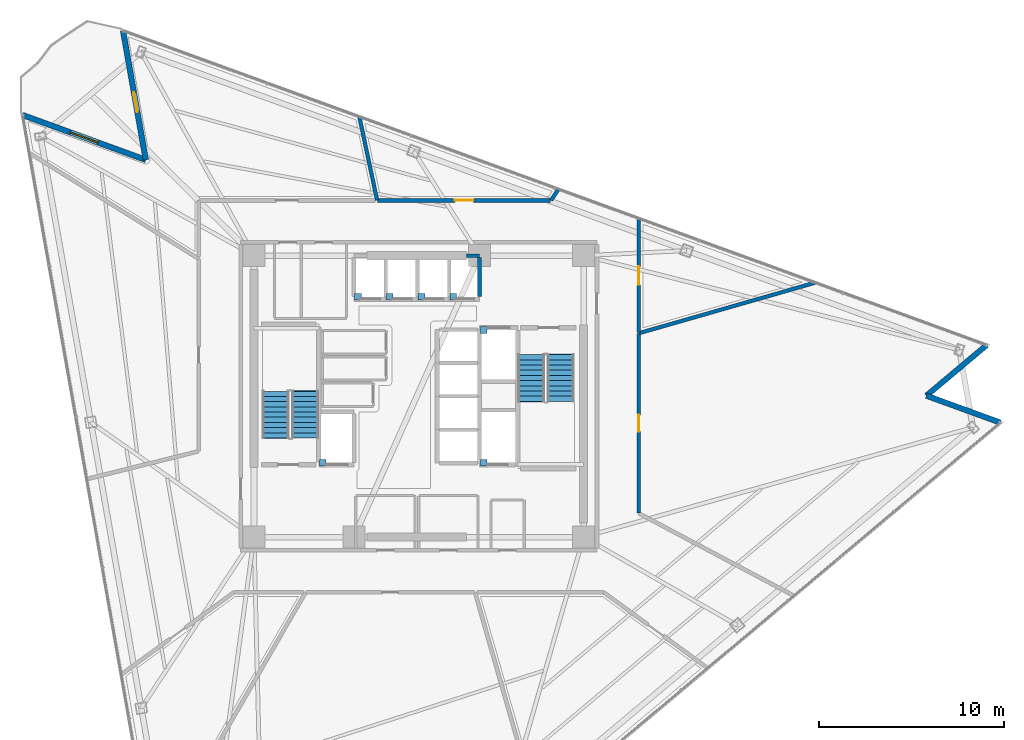
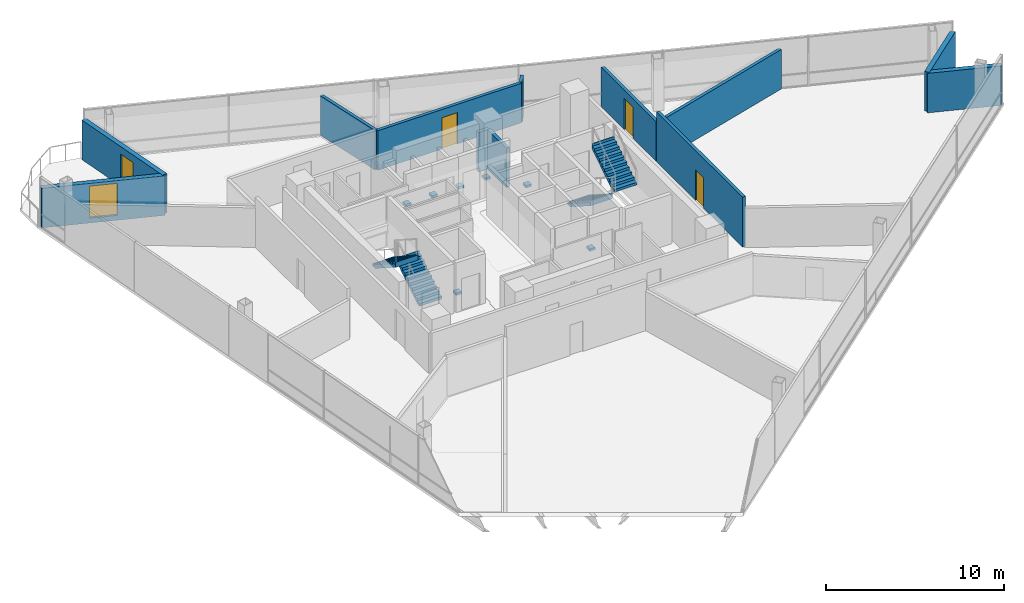
# One storey, part 12 of 15: 12 walls, 7 discrete accessories, 4 doors, 4 stair flights, 1 window, 5 openings, 2 elements without a shape of their own.
"""IFC4 building model written with IfcOpenShell, lengths in metres."""

from ifc_helpers import new_model, si_unit, direction, frame, frame_2d, origin, origin_2d, place, context, subcontext, project, spatial, polyline, rectangle, outline, extrude, material, layer, layer_set, type_object, element, fill, aggregate, save


model = new_model("IFC4")

# Units and contexts
model_context = context("Model", 3, precision=1e-05, world=origin(), true_north=direction((0.0, 1.0)))
body_context = subcontext(model_context, "Body", "Model", "MODEL_VIEW")
ifc_project = project(units=[si_unit("LENGTHUNIT", "METRE"), si_unit("AREAUNIT", "SQUARE_METRE"), si_unit("VOLUMEUNIT", "CUBIC_METRE"), si_unit("PLANEANGLEUNIT", "RADIAN"), si_unit("MASSUNIT", "GRAM", prefix="KILO")], contexts=[model_context])

# Site, building, storey
site_placement = place(None, origin())
site = spatial("IfcSite", under=ifc_project, at=site_placement, CompositionType="ELEMENT")
building_placement = place(site_placement, origin())
building = spatial("IfcBuilding", under=site, at=building_placement, Name="Tharavind Bronze Gate", CompositionType="ELEMENT")
storey_placement = place(building_placement, frame((0.0, 0.0, 174.10009765625)))
storey = spatial("IfcBuildingStorey", under=building, at=storey_placement, Name="L44", CompositionType="ELEMENT", Elevation=174.10009765625)

# Wall, opening, door
ifc_material_1 = material(Name="Concrete C40/50", Category="concrete")
ifc_layer_1 = layer(ifc_material_1, 0.300048828125)
ifc_layer_set_1 = layer_set([ifc_layer_1], Name="Concrete C40/50")
wall_type_1 = type_object("IfcWallType", Name="EXTERIOR SPANDREL WALL 300", PredefinedType="STANDARD", material=ifc_layer_set_1)
wall_1_placement = place(storey_placement, frame((-15.97314453125, 19.743408203125, 0.0), z_axis=(0.0, 0.0, 1.0), x_axis=(0.173651569749, -0.984807154891, 0.0)))
wall_1 = element("IfcWall", 1, at=wall_1_placement, inside=storey, type_object=wall_type_1, Name="L44 notch cheek wall 1A", PredefinedType="STANDARD", context=body_context, shape_type="SweptSolid", body=[
    extrude(rectangle(XDim=7.080322265625, YDim=0.300048828125, at=frame_2d((3.5400390625, 0.0))), origin(), (0.0, 0.0, 1.0), 2.71484375),
])
opening_1_placement = place(wall_1_placement, frame((3.3720703125, 0.0, 0.0)))
opening_1 = element("IfcOpeningElement", 2, at=opening_1_placement, cuts=wall_1, Name="Opening ED04", PredefinedType="OPENING", context=body_context, shape_type="SweptSolid", body=[
    extrude(rectangle(XDim=1.10009765625, YDim=2.199951171875, at=frame_2d((0.550048828125, 1.10009765625))), frame((0.0, 0.15990234375, 0.0), z_axis=(0.0, -1.0, 0.0), x_axis=(1.0, 0.0, 0.0)), (0.0, 0.0, 1.0), 0.320048828125),
])
ifc_material_2 = material(Name="Bronze Aluminium & Toughened Glass", Category="aluminium")
door_type_1 = type_object("IfcDoorType", Name="TREE BALCONY ACCESS DOOR 1100X2200", OperationType="SINGLE_SWING_LEFT", PredefinedType="DOOR", material=ifc_material_2)
door_1_placement = place(opening_1_placement, origin())
door_1 = element("IfcDoor", 3, at=door_1_placement, inside=storey, type_object=door_type_1, Name="L44 tree balcony access door", OperationType="SINGLE_SWING_LEFT", OverallHeight=2.199951171875, OverallWidth=1.10009765625, PredefinedType="DOOR", context=body_context, shape_type="SweptSolid", body=[
    extrude(rectangle(XDim=1.10009765625, YDim=2.199951171875, at=frame_2d((0.550048828125, 1.10009765625))), frame((0.0, 0.02490234375, 0.0), z_axis=(0.0, -1.0, 0.0), x_axis=(1.0, 0.0, 0.0)), (0.0, 0.0, 1.0), 0.050048828125),
])
fill(opening_1, door_1)

# Wall, opening, window
wall_2_placement = place(storey_placement, frame((-14.74365234375, 12.770751953125, 0.0), z_axis=(0.0, 0.0, 1.0), x_axis=(-0.939687665182, 0.342033758429, 0.0)))
wall_2 = element("IfcWall", 4, at=wall_2_placement, inside=storey, type_object=wall_type_1, Name="L44 notch cheek wall 1B", PredefinedType="STANDARD", context=body_context, shape_type="SweptSolid", body=[
    extrude(rectangle(XDim=7.080078125, YDim=0.300048828125, at=frame_2d((3.5400390625, 0.0))), origin(), (0.0, 0.0, 1.0), 2.71484375),
])
opening_2_placement = place(wall_2_placement, frame((2.739990234375, 0.0, 0.3349609375)))
opening_2 = element("IfcOpeningElement", 5, at=opening_2_placement, cuts=wall_2, Name="Opening W05", PredefinedType="OPENING", context=body_context, shape_type="SweptSolid", body=[
    extrude(rectangle(XDim=1.60009765625, YDim=2.199951171875, at=frame_2d((0.800048828125, 1.10009765625))), frame((0.0, 0.15990234375, 0.0), z_axis=(0.0, -1.0, 0.0), x_axis=(1.0, 0.0, 0.0)), (0.0, 0.0, 1.0), 0.320048828125),
])
ifc_material_3 = material(Name="Bronze Aluminium & Low-E Glass", Category="aluminium")
window_type = type_object("IfcWindowType", Name="OFFICE NOTCH BRONZE WINDOW 1600X2200", PartitioningType="DOUBLE_PANEL_VERTICAL", PredefinedType="WINDOW", material=ifc_material_3)
window_placement = place(opening_2_placement, origin())
window = element("IfcWindow", 6, at=window_placement, inside=storey, type_object=window_type, Name="L44 exterior window WL-L44-NCB1-01", OverallHeight=2.199951171875, OverallWidth=1.60009765625, PartitioningType="SINGLE_PANEL", PredefinedType="WINDOW", context=body_context, shape_type="SweptSolid", body=[
    extrude(rectangle(XDim=1.60009765625, YDim=2.199951171875, at=frame_2d((0.800048828125, 1.10009765625))), frame((0.0, 0.030029296875, 0.0), z_axis=(0.0, -1.0, 0.0), x_axis=(1.0, 0.0, 0.0)), (0.0, 0.0, 1.0), 0.06005859375),
])
fill(opening_2, window)

# Walls
for number, where, z_axis, x_axis, name in (
    (7, (31.410888671875, -1.418212890625, 0.0), (0.0, 0.0, 1.0), (-0.939672547019, 0.342075290511, 0.0), "L44 notch cheek wall 3A"),
    (8, (27.419189453125, 0.034912109375, 0.0), (0.0, 0.0, 1.0), (0.766054602204, 0.642775502367, 0.0), "L44 notch cheek wall 3B"),
):
    element("IfcWall", number, at=place(storey_placement, frame(where, z_axis=z_axis, x_axis=x_axis)), inside=storey, type_object=wall_type_1, Name=name, PredefinedType="STANDARD", context=body_context, shape_type="SweptSolid", body=[
        extrude(rectangle(XDim=4.248046875, YDim=0.300048828125, at=frame_2d((2.1240234375, 0.0))), origin(), (0.0, 0.0, 1.0), 2.71484375),
    ])
ifc_material_4 = material(Name="Aerated Concrete Block", Category="concrete")
ifc_layer_2 = layer(ifc_material_4, 0.199951171875)
ifc_layer_set_2 = layer_set([ifc_layer_2], Name="Aerated Concrete Block")
wall_type_2 = type_object("IfcWallType", Name="FIRE RATED PARTITION 200", PredefinedType="PARTITIONING", material=ifc_layer_set_2)
wall_3_placement = place(storey_placement, frame((21.406494140625, 6.13818359375, 0.0), z_axis=(0.0, 0.0, 1.0), x_axis=(-0.961265154156, -0.275625295294, 0.0)))
element("IfcWall", 9, at=wall_3_placement, inside=storey, type_object=wall_type_2, Name="L44 Clean Energy Open Office partition", PredefinedType="PARTITIONING", context=body_context, shape_type="SweptSolid", body=[
    extrude(rectangle(XDim=9.877197265625, YDim=0.199951171875, at=frame_2d((4.9384765625, 0.0))), origin(), (0.0, 0.0, 1.0), 2.71484375),
])

# Wall, opening, door
wall_4_placement = place(storey_placement, frame((11.8798828125, 3.439697265625, 0.0), z_axis=(0.0, 0.0, 1.0), x_axis=(0.0, 1.0, 0.0)))
wall_4 = element("IfcWall", 10, at=wall_4_placement, inside=storey, type_object=wall_type_2, Name="L44 Clean Energy Open Office partition", PredefinedType="PARTITIONING", context=body_context, shape_type="SweptSolid", body=[
    extrude(rectangle(XDim=6.166015625, YDim=0.199951171875, at=frame_2d((3.0830078125, 0.0))), origin(), (0.0, 0.0, 1.0), 2.71484375),
])
opening_3_placement = place(wall_4_placement, frame((2.5830078125, 0.0, 0.0)))
opening_3 = element("IfcOpeningElement", 11, at=opening_3_placement, cuts=wall_4, Name="Opening ID04", PredefinedType="OPENING", context=body_context, shape_type="SweptSolid", body=[
    extrude(rectangle(XDim=1.0, YDim=2.14990234375, at=frame_2d((0.5, 1.074951171875))), frame((0.0, 0.11009765625, 0.0), z_axis=(0.0, -1.0, 0.0), x_axis=(1.0, 0.0, 0.0)), (0.0, 0.0, 1.0), 0.219951171875),
])
ifc_material_5 = material(Name="Bronze Framed Acoustic Timber", Category="wood")
door_type_2 = type_object("IfcDoorType", Name="OFFICE TENANCY DOOR 1000X2150", OperationType="SINGLE_SWING_RIGHT", PredefinedType="DOOR", material=ifc_material_5)
door_2_placement = place(opening_3_placement, origin())
door_2 = element("IfcDoor", 12, at=door_2_placement, inside=storey, type_object=door_type_2, Name="L44 Clean Energy Open Office door", OperationType="SINGLE_SWING_RIGHT", OverallHeight=2.14990234375, OverallWidth=1.0, PredefinedType="DOOR", context=body_context, shape_type="SweptSolid", body=[
    extrude(rectangle(XDim=1.0, YDim=2.14990234375, at=frame_2d((0.5, 1.074951171875))), frame((0.0, 0.02490234375, 0.0), z_axis=(0.0, -1.0, 0.0), x_axis=(1.0, 0.0, 0.0)), (0.0, 0.0, 1.0), 0.050048828125),
])
fill(opening_3, door_2)

# Wall
wall_5_placement = place(storey_placement, frame((7.543701171875, 11.183837890625, 0.0), z_axis=(0.0, 0.0, 1.0), x_axis=(-0.559261733949, -0.828991141654, 0.0)))
element("IfcWall", 13, at=wall_5_placement, inside=storey, type_object=wall_type_2, Name="L44 Grid Simulation Lab partition", PredefinedType="PARTITIONING", context=body_context, shape_type="SweptSolid", body=[
    extrude(rectangle(XDim=0.715087890625, YDim=0.199951171875, at=frame_2d((0.357421875, 0.0))), origin(), (0.0, 0.0, 1.0), 2.71484375),
])

# Wall, opening, door
wall_6_placement = place(storey_placement, frame((7.123046875, 10.580078125, 0.0), z_axis=(0.0, 0.0, 1.0), x_axis=(-1.0, 0.0, 0.0)))
wall_6 = element("IfcWall", 14, at=wall_6_placement, inside=storey, type_object=wall_type_2, Name="L44 Grid Simulation Lab partition", PredefinedType="PARTITIONING", context=body_context, shape_type="SweptSolid", body=[
    extrude(rectangle(XDim=9.3515625, YDim=0.199951171875, at=frame_2d((4.67578125, 0.0))), origin(), (0.0, 0.0, 1.0), 2.71484375),
])
opening_4_placement = place(wall_6_placement, frame((4.176025390625, 0.0, 0.0)))
opening_4 = element("IfcOpeningElement", 15, at=opening_4_placement, cuts=wall_6, Name="Opening ID04", PredefinedType="OPENING", context=body_context, shape_type="SweptSolid", body=[
    extrude(rectangle(XDim=1.0, YDim=2.14990234375, at=frame_2d((0.5, 1.074951171875))), frame((0.0, 0.11009765625, 0.0), z_axis=(0.0, -1.0, 0.0), x_axis=(1.0, 0.0, 0.0)), (0.0, 0.0, 1.0), 0.219951171875),
])
door_3_placement = place(opening_4_placement, origin())
door_3 = element("IfcDoor", 16, at=door_3_placement, inside=storey, type_object=door_type_2, Name="L44 Grid Simulation Lab door", OperationType="SINGLE_SWING_RIGHT", OverallHeight=2.14990234375, OverallWidth=1.0, PredefinedType="DOOR", context=body_context, shape_type="SweptSolid", body=[
    extrude(rectangle(XDim=1.0, YDim=2.14990234375, at=frame_2d((0.5, 1.074951171875))), frame((0.0, 0.02490234375, 0.0), z_axis=(0.0, -1.0, 0.0), x_axis=(1.0, 0.0, 0.0)), (0.0, 0.0, 1.0), 0.050048828125),
])
fill(opening_4, door_3)

# Wall
wall_7_placement = place(storey_placement, frame((-2.253173828125, 10.599853515625, 0.0), z_axis=(0.0, 0.0, 1.0), x_axis=(-0.207864470863, 0.978157636454, 0.0)))
element("IfcWall", 17, at=wall_7_placement, inside=storey, type_object=wall_type_2, Name="L44 Grid Simulation Lab partition", PredefinedType="PARTITIONING", context=body_context, shape_type="SweptSolid", body=[
    extrude(rectangle(XDim=4.59814453125, YDim=0.199951171875, at=frame_2d((2.299072265625, 0.0))), origin(), (0.0, 0.0, 1.0), 2.71484375),
])

# Wall, opening, door
wall_8_placement = place(storey_placement, frame((11.8798828125, -6.3017578125, 0.0), z_axis=(0.0, 0.0, 1.0), x_axis=(0.0, 1.0, 0.0)))
wall_8 = element("IfcWall", 18, at=wall_8_placement, inside=storey, type_object=wall_type_2, Name="L44 Tea Pantry partition", PredefinedType="PARTITIONING", context=body_context, shape_type="SweptSolid", body=[
    extrude(rectangle(XDim=9.689453125, YDim=0.199951171875, at=frame_2d((4.8447265625, 0.0))), origin(), (0.0, 0.0, 1.0), 3.419921875),
])
opening_5_placement = place(wall_8_placement, frame((4.39501953125, 0.0, 0.0)))
opening_5 = element("IfcOpeningElement", 19, at=opening_5_placement, cuts=wall_8, Name="Opening ID07", PredefinedType="OPENING", context=body_context, shape_type="SweptSolid", body=[
    extrude(rectangle(XDim=0.89990234375, YDim=2.10009765625, at=frame_2d((0.449951171875, 1.050048828125))), frame((0.0, 0.11009765625, 0.0), z_axis=(0.0, -1.0, 0.0), x_axis=(1.0, 0.0, 0.0)), (0.0, 0.0, 1.0), 0.219951171875),
])
ifc_material_6 = material(Name="Galvanised Fire Steel", Category="steel")
door_type_3 = type_object("IfcDoorType", Name="PLANT AND RISER FIRE DOOR 900X2100", OperationType="SINGLE_SWING_LEFT", PredefinedType="DOOR", material=ifc_material_6)
door_4_placement = place(opening_5_placement, origin())
door_4 = element("IfcDoor", 20, at=door_4_placement, inside=storey, type_object=door_type_3, Name="L44 Tea Pantry door", OperationType="SINGLE_SWING_LEFT", OverallHeight=2.10009765625, OverallWidth=0.89990234375, PredefinedType="DOOR", context=body_context, shape_type="SweptSolid", body=[
    extrude(rectangle(XDim=0.89990234375, YDim=2.10009765625, at=frame_2d((0.449951171875, 1.050048828125))), frame((0.0, 0.02490234375, 0.0), z_axis=(0.0, -1.0, 0.0), x_axis=(1.0, 0.0, 0.0)), (0.0, 0.0, 1.0), 0.050048828125),
])
fill(opening_5, door_4)

# Walls
ifc_layer_3 = layer(ifc_material_1, 0.199951171875)
ifc_layer_set_3 = layer_set([ifc_layer_3], Name="Concrete C40/50")
wall_type_3 = type_object("IfcWallType", Name="SHAFT ENCLOSURE WALL 200", PredefinedType="PARTITIONING", material=ifc_layer_set_3)
wall_9_placement = place(storey_placement, frame((2.580078125, 7.60009765625, 0.0), z_axis=(0.0, 0.0, 1.0), x_axis=(1.0, 0.0, 0.0)))
element("IfcWall", 21, at=wall_9_placement, inside=storey, type_object=wall_type_3, Name="L44 lift PL8 shaft N enclosure wall", PredefinedType="PARTITIONING", context=body_context, shape_type="SweptSolid", body=[
    extrude(rectangle(XDim=0.699951171875, YDim=0.199951171875, at=frame_2d((0.35009765625, 0.0))), origin(), (0.0, 0.0, 1.0), 2.71484375),
])
wall_10_placement = place(storey_placement, frame((3.280029296875, 5.3798828125, 0.0), z_axis=(0.0, 0.0, 1.0), x_axis=(0.0, 1.0, 0.0)))
element("IfcWall", 22, at=wall_10_placement, inside=storey, type_object=wall_type_3, Name="L44 lift PL8 shaft E enclosure wall", PredefinedType="PARTITIONING", context=body_context, shape_type="SweptSolid", body=[
    extrude(rectangle(XDim=2.115234375, YDim=0.199951171875, at=frame_2d((1.0576171875, 0.0))), origin(), (0.0, 0.0, 1.0), 2.71484375),
])

# Stair, stair flights
stair_type = type_object("IfcStairType", Name="CORE HALF TURN STAIR 1450", PredefinedType="HALF_TURN_STAIR", material=ifc_material_1)
stair_1_placement = place(storey_placement, origin())
stair_1 = element("IfcStair", 23, at=stair_1_placement, inside=storey, type_object=stair_type, Name="L44 Protected Exit Stair ST1", PredefinedType="HALF_TURN_STAIR")
stair_flight_type = type_object("IfcStairFlightType", Name="CORE STAIR FLIGHT 1450", PredefinedType="STRAIGHT", material=ifc_material_1)
stair_flight_1_placement = place(storey_placement, frame((-6.125, -2.25, 0.0), z_axis=(0.0, 0.0, 1.0), x_axis=(0.0, 1.0, 0.0)))
stair_flight_1 = element("IfcStairFlight", 24, at=stair_flight_1_placement, type_object=stair_flight_type, Name="ST1 flight 1", NumberOfRisers=10, NumberOfTreads=9, PredefinedType="STRAIGHT", RiserHeight=0.18, TreadLength=0.28, context=body_context, shape_type="SweptSolid", body=[
    extrude(outline(polyline([(0.0, 0.0), (0.0, 0.179931640625), (0.280029296875, 0.179931640625), (0.280029296875, 0.360107421875), (0.56005859375, 0.360107421875), (0.56005859375, 0.5400390625), (0.840087890625, 0.5400390625), (0.840087890625, 0.719970703125), (1.1201171875, 0.719970703125), (1.1201171875, 0.89990234375), (1.39990234375, 0.89990234375), (1.39990234375, 1.080078125), (1.679931640625, 1.080078125), (1.679931640625, 1.260009765625), (1.9599609375, 1.260009765625), (1.9599609375, 1.43994140625), (2.239990234375, 1.43994140625), (2.239990234375, 1.6201171875), (2.52001953125, 1.6201171875), (2.52001953125, 1.800048828125), (2.555908203125, 1.800048828125), (2.555908203125, 1.44189453125), (0.277099609375, 0.0), (0.0, 0.0)])), frame((0.0, 0.72509765625, 0.0), z_axis=(0.0, -1.0, 0.0), x_axis=(1.0, 0.0, 0.0)), (0.0, 0.0, 1.0), 1.449951171875),
])
stair_flight_2_placement = place(storey_placement, frame((-7.72509765625, 0.27001953125, 1.7998046875), z_axis=(0.0, 0.0, 1.0), x_axis=(0.0, -1.0, 0.0)))
stair_flight_2 = element("IfcStairFlight", 25, at=stair_flight_2_placement, type_object=stair_flight_type, Name="ST1 flight 2", NumberOfRisers=10, NumberOfTreads=9, PredefinedType="STRAIGHT", RiserHeight=0.18, TreadLength=0.28, context=body_context, shape_type="SweptSolid", body=[
    extrude(outline(polyline([(0.0, 0.0), (0.0, 0.179931640625), (0.280029296875, 0.179931640625), (0.280029296875, 0.360107421875), (0.56005859375, 0.360107421875), (0.56005859375, 0.5400390625), (0.840087890625, 0.5400390625), (0.840087890625, 0.719970703125), (1.1201171875, 0.719970703125), (1.1201171875, 0.89990234375), (1.39990234375, 0.89990234375), (1.39990234375, 1.080078125), (1.679931640625, 1.080078125), (1.679931640625, 1.260009765625), (1.9599609375, 1.260009765625), (1.9599609375, 1.43994140625), (2.239990234375, 1.43994140625), (2.239990234375, 1.6201171875), (2.52001953125, 1.6201171875), (2.52001953125, 1.800048828125), (2.555908203125, 1.800048828125), (2.555908203125, 1.44189453125), (0.277099609375, 0.0), (0.0, 0.0)])), frame((0.0, 0.72509765625, 0.0), z_axis=(0.0, -1.0, 0.0), x_axis=(1.0, 0.0, 0.0)), (0.0, 0.0, 1.0), 1.449951171875),
])
aggregate(stair_1, [stair_flight_1, stair_flight_2])

stair_2_placement = place(storey_placement, origin())
stair_2 = element("IfcStair", 26, at=stair_2_placement, inside=storey, type_object=stair_type, Name="L44 Protected Exit Stair ST2", PredefinedType="HALF_TURN_STAIR")
stair_flight_3_placement = place(storey_placement, frame((6.074951171875, 2.25, 0.0), z_axis=(0.0, 0.0, 1.0), x_axis=(0.0, -1.0, 0.0)))
stair_flight_3 = element("IfcStairFlight", 27, at=stair_flight_3_placement, type_object=stair_flight_type, Name="ST2 flight 1", NumberOfRisers=10, NumberOfTreads=9, PredefinedType="STRAIGHT", RiserHeight=0.18, TreadLength=0.28, context=body_context, shape_type="SweptSolid", body=[
    extrude(outline(polyline([(0.0, 0.0), (0.0, 0.179931640625), (0.280029296875, 0.179931640625), (0.280029296875, 0.360107421875), (0.56005859375, 0.360107421875), (0.56005859375, 0.5400390625), (0.840087890625, 0.5400390625), (0.840087890625, 0.719970703125), (1.1201171875, 0.719970703125), (1.1201171875, 0.89990234375), (1.39990234375, 0.89990234375), (1.39990234375, 1.080078125), (1.679931640625, 1.080078125), (1.679931640625, 1.260009765625), (1.9599609375, 1.260009765625), (1.9599609375, 1.43994140625), (2.239990234375, 1.43994140625), (2.239990234375, 1.6201171875), (2.52001953125, 1.6201171875), (2.52001953125, 1.800048828125), (2.555908203125, 1.800048828125), (2.555908203125, 1.44189453125), (0.277099609375, 0.0), (0.0, 0.0)])), frame((0.0, 0.72509765625, 0.0), z_axis=(0.0, -1.0, 0.0), x_axis=(1.0, 0.0, 0.0)), (0.0, 0.0, 1.0), 1.449951171875),
])
stair_flight_4_placement = place(storey_placement, frame((7.675048828125, -0.27001953125, 1.7998046875), z_axis=(0.0, 0.0, 1.0), x_axis=(0.0, 1.0, 0.0)))
stair_flight_4 = element("IfcStairFlight", 28, at=stair_flight_4_placement, type_object=stair_flight_type, Name="ST2 flight 2", NumberOfRisers=10, NumberOfTreads=9, PredefinedType="STRAIGHT", RiserHeight=0.18, TreadLength=0.28, context=body_context, shape_type="SweptSolid", body=[
    extrude(outline(polyline([(0.0, 0.0), (0.0, 0.179931640625), (0.280029296875, 0.179931640625), (0.280029296875, 0.360107421875), (0.56005859375, 0.360107421875), (0.56005859375, 0.5400390625), (0.840087890625, 0.5400390625), (0.840087890625, 0.719970703125), (1.1201171875, 0.719970703125), (1.1201171875, 0.89990234375), (1.39990234375, 0.89990234375), (1.39990234375, 1.080078125), (1.679931640625, 1.080078125), (1.679931640625, 1.260009765625), (1.9599609375, 1.260009765625), (1.9599609375, 1.43994140625), (2.239990234375, 1.43994140625), (2.239990234375, 1.6201171875), (2.52001953125, 1.6201171875), (2.52001953125, 1.800048828125), (2.555908203125, 1.800048828125), (2.555908203125, 1.44189453125), (0.277099609375, 0.0), (0.0, 0.0)])), frame((0.0, 0.72509765625, 0.0), z_axis=(0.0, -1.0, 0.0), x_axis=(1.0, 0.0, 0.0)), (0.0, 0.0, 1.0), 1.449951171875),
])
aggregate(stair_2, [stair_flight_3, stair_flight_4])

# Discrete accessories
ifc_material_7 = material(Name="Galvanised Steel S355", Category="steel")
discrete_accessory_type = type_object("IfcDiscreteAccessoryType", Name="LIFT GUIDE RAIL BRACKET", PredefinedType="BRACKET", material=ifc_material_7)
for number, where, z_axis, x_axis, name in (
    (29, (-3.280029296875, 5.3701171875, 1.1201171875), (0.0, 0.0, 1.0), (1.0, 0.0, 0.0), "Lift PL5 guide rail bracket at L44"),
    (30, (-1.5673828125, 5.3701171875, 1.1201171875), (0.0, 0.0, 1.0), (1.0, 0.0, 0.0), "Lift PL6 guide rail bracket at L44"),
    (31, (0.14501953125, 5.3701171875, 1.1201171875), (0.0, 0.0, 1.0), (1.0, 0.0, 0.0), "Lift PL7 guide rail bracket at L44"),
    (32, (1.857421875, 5.3701171875, 1.1201171875), (0.0, 0.0, 1.0), (1.0, 0.0, 0.0), "Lift PL8 guide rail bracket at L44"),
    (33, (-5.179931640625, -3.580078125, 1.1201171875), (0.0, 0.0, 1.0), (1.0, 0.0, 0.0), "Lift FFL1 guide rail bracket at L44"),
    (34, (3.5, 3.580078125, 1.1201171875), (0.0, 0.0, 1.0), (1.0, 0.0, 0.0), "Lift FFL2 guide rail bracket at L44"),
    (35, (3.5, -3.580078125, 1.1201171875), (0.0, 0.0, 1.0), (1.0, 0.0, 0.0), "Lift SVL1 guide rail bracket at L44"),
):
    element("IfcDiscreteAccessory", number, at=place(storey_placement, frame(where, z_axis=z_axis, x_axis=x_axis)), inside=storey, type_object=discrete_accessory_type, Name=name, PredefinedType="BRACKET", context=body_context, shape_type="SweptSolid", body=[
        extrude(rectangle(XDim=0.360107421875, YDim=0.360107421875, at=origin_2d()), origin(), (0.0, 0.0, 1.0), 0.159912109375),
    ])

save(model, "model.ifc")
